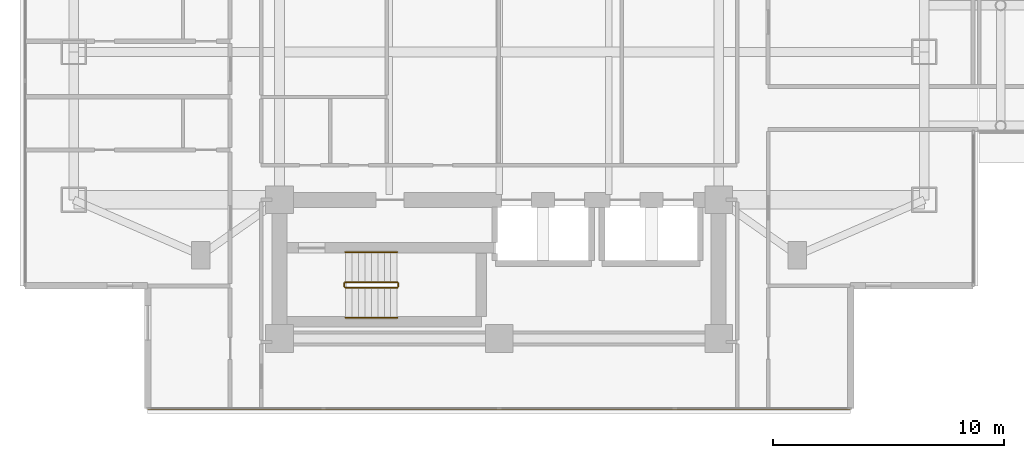
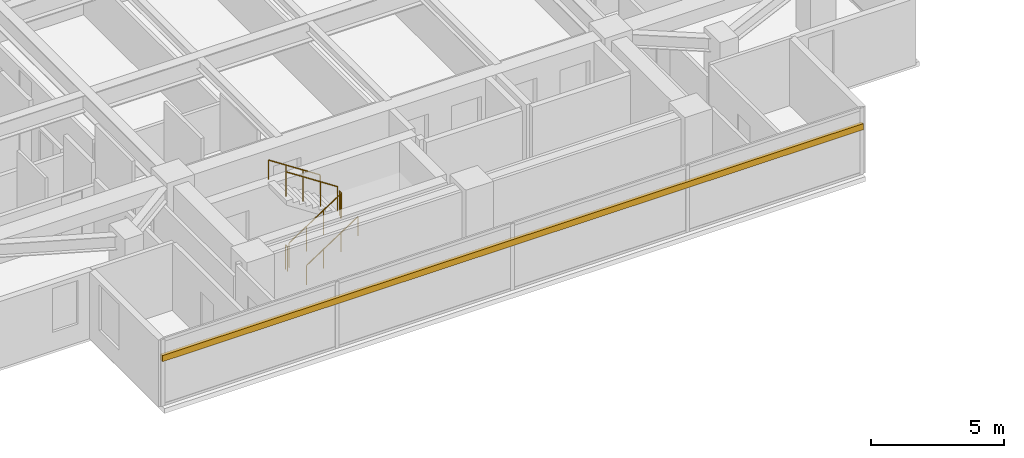
# One storey, part 23 of 28: 6 railings, 1 shading device.
"""IFC4 building model written with IfcOpenShell, lengths in metres."""

from ifc_helpers import new_model, si_unit, direction, frame, origin, origin_2d, place, context, subcontext, project, spatial, rectangle, circle, extrude, material, material_profile, profile_set, type_object, element, save


model = new_model("IFC4")

# Units and contexts
model_context = context("Model", 3, precision=1e-05, world=origin(), true_north=direction((0.0, 1.0)))
body_context = subcontext(model_context, "Body", "Model", "MODEL_VIEW")
ifc_project = project(units=[si_unit("LENGTHUNIT", "METRE"), si_unit("AREAUNIT", "SQUARE_METRE"), si_unit("VOLUMEUNIT", "CUBIC_METRE"), si_unit("PLANEANGLEUNIT", "RADIAN"), si_unit("MASSUNIT", "GRAM", prefix="KILO")], contexts=[model_context])

# Site, building, storey
site_placement = place(None, origin())
site = spatial("IfcSite", under=ifc_project, at=site_placement, CompositionType="ELEMENT")
building_placement = place(site_placement, origin())
building = spatial("IfcBuilding", under=site, at=building_placement, Name="Mirazonda Arch Towers", CompositionType="ELEMENT")
storey_placement = place(building_placement, frame((0.0, 0.0, 91.699951171875)))
storey = spatial("IfcBuildingStorey", under=building, at=storey_placement, Name="L25", CompositionType="ELEMENT", Elevation=91.699951171875)

# Shading device
ifc_material_1 = material(Name="Kiln-Fired Architectural Terracotta", Category="masonry")
ifc_material_profile = material_profile(ifc_material_1, rectangle(XDim=0.139892578125, YDim=0.280029296875, at=origin_2d()), Name="TERRA-BAG-140x280")
ifc_profile_set = profile_set([ifc_material_profile], Name="Kiln-Fired Architectural Terracotta")
shading_device_type = type_object("IfcShadingDeviceType", Name="BAGUETTE-3", PredefinedType="USERDEFINED", material=ifc_profile_set)
shading_device_placement = place(storey_placement, frame((35.705078125, 9.3720703125, 2.203369140625), z_axis=(-1.0, 0.0, 0.0), x_axis=(0.0, -1.0, 0.0)))
element("IfcShadingDevice", 1, at=shading_device_placement, inside=storey, type_object=shading_device_type, Name="L25 Glazed Terracotta Sun-Screen Baguette CW-L25-T1-S", ObjectType="BAGUETTE", PredefinedType="USERDEFINED", context=body_context, shape_type="SweptSolid", body=[
    extrude(rectangle(XDim=0.139892578125, YDim=0.280029296875, at=origin_2d()), origin(), (0.0, 0.0, 1.0), 30.41015625),
])

# Railings
ifc_material_2 = material(Name="Architectural Brushed Steel S355", Category="steel")
railing_type_1 = type_object("IfcRailingType", Name="GUARD-STAIR-1120", PredefinedType="GUARDRAIL", material=ifc_material_2)
railing_1_placement = place(storey_placement, frame((13.85009765625, 14.60009765625, 0.183349609375)))
element("IfcRailing", 2, at=railing_1_placement, inside=storey, type_object=railing_type_1, Name="L25 ST-T1S stair guard 1", PredefinedType="GUARDRAIL", context=body_context, shape_type="SweptSolid", body=[
    extrude(circle(Radius=0.02392578125, at=origin_2d()), frame((0.0, 0.0, 1.1259765625), z_axis=(0.836595146698, 0.0, 0.547821650285), x_axis=(0.0, 1.0, 0.0)), (0.0, 0.0, 1.0), 2.677490234375),
    extrude(circle(Radius=0.02099609375, at=origin_2d()), origin(), (0.0, 0.0, 1.0), 1.101806640625),
    extrude(circle(Radius=0.02099609375, at=origin_2d()), frame((0.74658203125, 0.0, 0.489013671875)), (0.0, 0.0, 1.0), 1.101806640625),
    extrude(circle(Radius=0.02099609375, at=origin_2d()), frame((1.493408203125, 0.0, 0.977783203125)), (0.0, 0.0, 1.0), 1.101806640625),
    extrude(circle(Radius=0.02099609375, at=origin_2d()), frame((2.239990234375, 0.0, 1.466796875)), (0.0, 0.0, 1.0), 1.101806640625),
])
railing_2_placement = place(storey_placement, frame((16.139892578125, 14.64990234375, 1.650146484375)))
element("IfcRailing", 3, at=railing_2_placement, inside=storey, type_object=railing_type_1, Name="L25 ST-T1S stair guard 2", PredefinedType="GUARDRAIL", context=body_context, shape_type="SweptSolid", body=[
    extrude(circle(Radius=0.02392578125, at=origin_2d()), frame((0.0, 0.0, 1.1259765625), z_axis=(0.0, 1.0, 0.0), x_axis=(-1.0, 0.0, 0.0)), (0.0, 0.0, 1.0), 0.14013671875),
    extrude(circle(Radius=0.02099609375, at=origin_2d()), origin(), (0.0, 0.0, 1.0), 1.101806640625),
    extrude(circle(Radius=0.02099609375, at=origin_2d()), frame((0.0, 0.14013671875, 0.0)), (0.0, 0.0, 1.0), 1.101806640625),
])
railing_3_placement = place(storey_placement, frame((16.090087890625, 14.840087890625, 1.83349609375)))
element("IfcRailing", 4, at=railing_3_placement, inside=storey, type_object=railing_type_1, Name="L25 ST-T1S stair guard 3", PredefinedType="GUARDRAIL", context=body_context, shape_type="SweptSolid", body=[
    extrude(circle(Radius=0.02392578125, at=origin_2d()), frame((0.0, 0.0, 1.1259765625), z_axis=(-0.836636935527, 0.0, 0.547757827979), x_axis=(0.0, -1.0, 0.0)), (0.0, 0.0, 1.0), 2.677490234375),
    extrude(circle(Radius=0.02099609375, at=origin_2d()), origin(), (0.0, 0.0, 1.0), 1.101806640625),
    extrude(circle(Radius=0.02099609375, at=origin_2d()), frame((-0.74658203125, 0.0, 0.48876953125)), (0.0, 0.0, 1.0), 1.101806640625),
    extrude(circle(Radius=0.02099609375, at=origin_2d()), frame((-1.493408203125, 0.0, 0.977783203125)), (0.0, 0.0, 1.0), 1.101806640625),
    extrude(circle(Radius=0.02099609375, at=origin_2d()), frame((-2.239990234375, 0.0, 1.466552734375)), (0.0, 0.0, 1.0), 1.101806640625),
])
railing_4_placement = place(storey_placement, frame((13.800048828125, 14.64990234375, 0.0)))
element("IfcRailing", 5, at=railing_4_placement, inside=storey, type_object=railing_type_1, Name="L25 ST-T1S stair guard 4", PredefinedType="GUARDRAIL", context=body_context, shape_type="SweptSolid", body=[
    extrude(circle(Radius=0.02392578125, at=origin_2d()), frame((0.0, 0.0, 1.1259765625), z_axis=(0.0, 1.0, 0.0), x_axis=(-1.0, 0.0, 0.0)), (0.0, 0.0, 1.0), 0.14013671875),
    extrude(circle(Radius=0.02099609375, at=origin_2d()), origin(), (0.0, 0.0, 1.0), 1.101806640625),
    extrude(circle(Radius=0.02099609375, at=origin_2d()), frame((0.0, 0.14013671875, 0.0)), (0.0, 0.0, 1.0), 1.101806640625),
])
railing_type_2 = type_object("IfcRailingType", Name="HANDRAIL-915", PredefinedType="HANDRAIL", material=ifc_material_2)
railing_5_placement = place(storey_placement, frame((13.85009765625, 13.300048828125, 0.183349609375)))
element("IfcRailing", 6, at=railing_5_placement, inside=storey, type_object=railing_type_2, Name="L25 ST-T1S stair handrail 1", PredefinedType="HANDRAIL", context=body_context, shape_type="SweptSolid", body=[
    extrude(circle(Radius=0.02392578125, at=origin_2d()), frame((0.0, 0.0, 0.8759765625), z_axis=(0.836595146698, 0.0, 0.547821650285), x_axis=(0.0, 1.0, 0.0)), (0.0, 0.0, 1.0), 2.677490234375),
    extrude(circle(Radius=0.02099609375, at=origin_2d()), origin(), (0.0, 0.0, 1.0), 0.851806640625),
    extrude(circle(Radius=0.02099609375, at=origin_2d()), frame((0.74658203125, 0.0, 0.489013671875)), (0.0, 0.0, 1.0), 0.851806640625),
    extrude(circle(Radius=0.02099609375, at=origin_2d()), frame((1.493408203125, 0.0, 0.977783203125)), (0.0, 0.0, 1.0), 0.851806640625),
    extrude(circle(Radius=0.02099609375, at=origin_2d()), frame((2.239990234375, 0.0, 1.466796875)), (0.0, 0.0, 1.0), 0.851806640625),
])
railing_6_placement = place(storey_placement, frame((16.090087890625, 16.139892578125, 1.83349609375)))
element("IfcRailing", 7, at=railing_6_placement, inside=storey, type_object=railing_type_2, Name="L25 ST-T1S stair handrail 2", PredefinedType="HANDRAIL", context=body_context, shape_type="SweptSolid", body=[
    extrude(circle(Radius=0.02392578125, at=origin_2d()), frame((0.0, 0.0, 0.8759765625), z_axis=(-0.836636935527, 0.0, 0.547757827979), x_axis=(0.0, -1.0, 0.0)), (0.0, 0.0, 1.0), 2.677490234375),
    extrude(circle(Radius=0.02099609375, at=origin_2d()), origin(), (0.0, 0.0, 1.0), 0.851806640625),
    extrude(circle(Radius=0.02099609375, at=origin_2d()), frame((-0.74658203125, 0.0, 0.48876953125)), (0.0, 0.0, 1.0), 0.851806640625),
    extrude(circle(Radius=0.02099609375, at=origin_2d()), frame((-1.493408203125, 0.0, 0.977783203125)), (0.0, 0.0, 1.0), 0.851806640625),
    extrude(circle(Radius=0.02099609375, at=origin_2d()), frame((-2.239990234375, 0.0, 1.466552734375)), (0.0, 0.0, 1.0), 0.851806640625),
])

save(model, "model.ifc")
